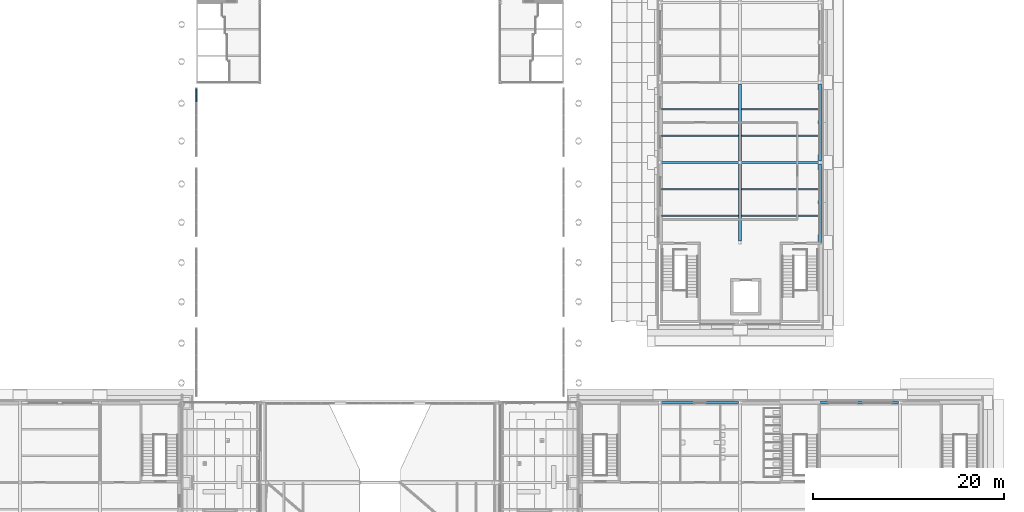
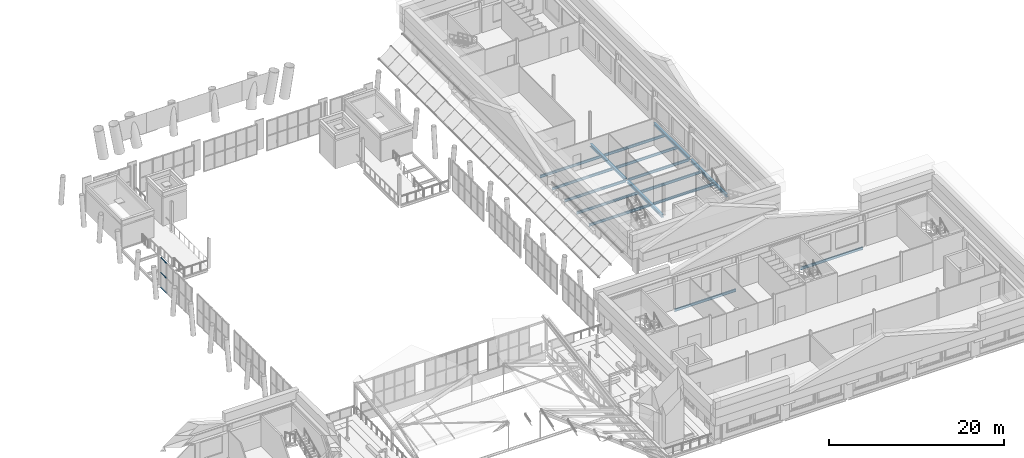
# One storey, part 28 of 76: 16 beams, 3 members, 1 element without a shape of its own.
"""IFC4 building model written with IfcOpenShell, lengths in metres."""

from ifc_helpers import new_model, si_unit, direction, frame, origin, origin_2d, place, context, subcontext, project, spatial, rectangle, i_section, extrude, material, material_profile, profile_set, type_object, element, aggregate, save


model = new_model("IFC4")

# Units and contexts
model_context = context("Model", 3, precision=1e-05, world=origin(), true_north=direction((0.0, 1.0)))
body_context = subcontext(model_context, "Body", "Model", "MODEL_VIEW")
ifc_project = project(units=[si_unit("LENGTHUNIT", "METRE"), si_unit("AREAUNIT", "SQUARE_METRE"), si_unit("VOLUMEUNIT", "CUBIC_METRE"), si_unit("PLANEANGLEUNIT", "RADIAN"), si_unit("MASSUNIT", "GRAM", prefix="KILO")], contexts=[model_context])

# Site, building, storey
site_placement = place(None, origin())
site = spatial("IfcSite", under=ifc_project, at=site_placement, CompositionType="ELEMENT")
building_placement = place(site_placement, origin())
building = spatial("IfcBuilding", under=site, at=building_placement, Name="Sava Quay Ferry Terminal", CompositionType="ELEMENT")
storey_placement = place(building_placement, frame((0.0, 0.0, 10.800048828125)))
storey = spatial("IfcBuildingStorey", under=building, at=storey_placement, Name="L02", CompositionType="ELEMENT", Elevation=10.800048828125)

# Beams
ifc_material_1 = material(Name="Steel S355", Category="steel")
ifc_material_profile_1 = material_profile(ifc_material_1, i_section(OverallWidth=0.169921875, OverallDepth=0.360107421875, WebThickness=0.008056640625, FlangeThickness=0.0126953125, at=origin_2d()), Name="IPE 360")
ifc_profile_set_1 = profile_set([ifc_material_profile_1], Name="Steel S355")
beam_type_1 = type_object("IfcBeamType", Name="Beam IPE 360", PredefinedType="BEAM", material=ifc_profile_set_1)
beam_1_placement = place(storey_placement, frame((92.550048828125, 50.39990234375, -0.31005859375), z_axis=(1.0, 0.0, 0.0), x_axis=(0.0, 1.0, 0.0)))
element("IfcBeam", 1, at=beam_1_placement, inside=storey, type_object=beam_type_1, Name="Beam L02", PredefinedType="BEAM", context=body_context, shape_type="SweptSolid", body=[
    extrude(i_section(OverallWidth=0.169921875, OverallDepth=0.360107421875, WebThickness=0.008056640625, FlangeThickness=0.0126953125, at=origin_2d()), origin(), (0.0, 0.0, 1.0), 8.099853515625),
])
beam_2_placement = place(storey_placement, frame((109.199951171875, 50.39990234375, -0.31005859375), z_axis=(1.0, 0.0, 0.0), x_axis=(0.0, 1.0, 0.0)))
element("IfcBeam", 2, at=beam_2_placement, inside=storey, type_object=beam_type_1, Name="Beam L02", PredefinedType="BEAM", context=body_context, shape_type="SweptSolid", body=[
    extrude(i_section(OverallWidth=0.169921875, OverallDepth=0.360107421875, WebThickness=0.008056640625, FlangeThickness=0.0126953125, at=origin_2d()), origin(), (0.0, 0.0, 1.0), 8.25),
])
beam_3_placement = place(storey_placement, frame((92.550048828125, 75.60009765625, -0.31005859375), z_axis=(1.0, 0.0, 0.0), x_axis=(0.0, 1.0, 0.0)))
element("IfcBeam", 3, at=beam_3_placement, inside=storey, type_object=beam_type_1, Name="Beam L02", PredefinedType="BEAM", context=body_context, shape_type="SweptSolid", body=[
    extrude(i_section(OverallWidth=0.169921875, OverallDepth=0.360107421875, WebThickness=0.008056640625, FlangeThickness=0.0126953125, at=origin_2d()), origin(), (0.0, 0.0, 1.0), 8.099853515625),
])
beam_4_placement = place(storey_placement, frame((100.949951171875, 75.60009765625, -0.31005859375), z_axis=(1.0, 0.0, 0.0), x_axis=(0.0, 1.0, 0.0)))
element("IfcBeam", 4, at=beam_4_placement, inside=storey, type_object=beam_type_1, Name="Beam L02", PredefinedType="BEAM", context=body_context, shape_type="SweptSolid", body=[
    extrude(i_section(OverallWidth=0.169921875, OverallDepth=0.360107421875, WebThickness=0.008056640625, FlangeThickness=0.0126953125, at=origin_2d()), origin(), (0.0, 0.0, 1.0), 8.10009765625),
])
for number, where, z_axis, x_axis, name in (
    (5, (92.550048828125, 70.0, -0.31005859375), (1.0, 0.0, 0.0), (0.0, 1.0, 0.0), "Secondary beam L02"),
    (6, (92.550048828125, 72.800048828125, -0.31005859375), (1.0, 0.0, 0.0), (0.0, 1.0, 0.0), "Secondary beam L02"),
):
    element("IfcBeam", number, at=place(storey_placement, frame(where, z_axis=z_axis, x_axis=x_axis)), inside=storey, type_object=beam_type_1, Name=name, PredefinedType="BEAM", context=body_context, shape_type="SweptSolid", body=[
        extrude(i_section(OverallWidth=0.169921875, OverallDepth=0.360107421875, WebThickness=0.008056640625, FlangeThickness=0.0126953125, at=origin_2d()), origin(), (0.0, 0.0, 1.0), 8.099853515625),
    ])
for number, where, z_axis, x_axis, name in (
    (7, (100.949951171875, 70.0, -0.31005859375), (1.0, 0.0, 0.0), (0.0, 1.0, 0.0), "Secondary beam L02"),
    (8, (100.949951171875, 72.800048828125, -0.31005859375), (1.0, 0.0, 0.0), (0.0, 1.0, 0.0), "Secondary beam L02"),
):
    element("IfcBeam", number, at=place(storey_placement, frame(where, z_axis=z_axis, x_axis=x_axis)), inside=storey, type_object=beam_type_1, Name=name, PredefinedType="BEAM", context=body_context, shape_type="SweptSolid", body=[
        extrude(i_section(OverallWidth=0.169921875, OverallDepth=0.360107421875, WebThickness=0.008056640625, FlangeThickness=0.0126953125, at=origin_2d()), origin(), (0.0, 0.0, 1.0), 8.10009765625),
    ])
for number, where, z_axis, x_axis, name in (
    (9, (92.550048828125, 78.39990234375, -0.31005859375), (1.0, 0.0, 0.0), (0.0, 1.0, 0.0), "Secondary beam L02"),
    (10, (92.550048828125, 81.199951171875, -0.31005859375), (1.0, 0.0, 0.0), (0.0, 1.0, 0.0), "Secondary beam L02"),
):
    element("IfcBeam", number, at=place(storey_placement, frame(where, z_axis=z_axis, x_axis=x_axis)), inside=storey, type_object=beam_type_1, Name=name, PredefinedType="BEAM", context=body_context, shape_type="SweptSolid", body=[
        extrude(i_section(OverallWidth=0.169921875, OverallDepth=0.360107421875, WebThickness=0.008056640625, FlangeThickness=0.0126953125, at=origin_2d()), origin(), (0.0, 0.0, 1.0), 8.099853515625),
    ])
for number, where, z_axis, x_axis, name in (
    (11, (100.949951171875, 78.39990234375, -0.31005859375), (1.0, 0.0, 0.0), (0.0, 1.0, 0.0), "Secondary beam L02"),
    (12, (100.949951171875, 81.199951171875, -0.31005859375), (1.0, 0.0, 0.0), (0.0, 1.0, 0.0), "Secondary beam L02"),
):
    element("IfcBeam", number, at=place(storey_placement, frame(where, z_axis=z_axis, x_axis=x_axis)), inside=storey, type_object=beam_type_1, Name=name, PredefinedType="BEAM", context=body_context, shape_type="SweptSolid", body=[
        extrude(i_section(OverallWidth=0.169921875, OverallDepth=0.360107421875, WebThickness=0.008056640625, FlangeThickness=0.0126953125, at=origin_2d()), origin(), (0.0, 0.0, 1.0), 8.10009765625),
    ])
ifc_material_2 = material(Name="Steel S355", Category="steel")
ifc_material_profile_2 = material_profile(ifc_material_2, i_section(OverallWidth=0.300048828125, OverallDepth=0.389892578125, WebThickness=0.010986328125, FlangeThickness=0.01904296875, at=origin_2d()), Name="HE 400 A")
ifc_profile_set_2 = profile_set([ifc_material_profile_2], Name="Steel S355")
beam_type_2 = type_object("IfcBeamType", Name="Girder HE 400 A", PredefinedType="BEAM", material=ifc_profile_set_2)
beam_5_placement = place(storey_placement, frame((100.800048828125, 67.35009765625, -0.324951171875), z_axis=(0.0, 1.0, 0.0), x_axis=(-1.0, 0.0, 0.0)))
element("IfcBeam", 13, at=beam_5_placement, inside=storey, type_object=beam_type_2, Name="Girder L02", PredefinedType="BEAM", context=body_context, shape_type="SweptSolid", body=[
    extrude(i_section(OverallWidth=0.300048828125, OverallDepth=0.389892578125, WebThickness=0.010986328125, FlangeThickness=0.01904296875, at=origin_2d()), origin(), (0.0, 0.0, 1.0), 8.099853515625),
])
beam_6_placement = place(storey_placement, frame((100.800048828125, 75.75, -0.324951171875), z_axis=(0.0, 1.0, 0.0), x_axis=(-1.0, 0.0, 0.0)))
element("IfcBeam", 14, at=beam_6_placement, inside=storey, type_object=beam_type_2, Name="Girder L02", PredefinedType="BEAM", context=body_context, shape_type="SweptSolid", body=[
    extrude(i_section(OverallWidth=0.300048828125, OverallDepth=0.389892578125, WebThickness=0.010986328125, FlangeThickness=0.01904296875, at=origin_2d()), origin(), (0.0, 0.0, 1.0), 8.10009765625),
])
beam_7_placement = place(storey_placement, frame((109.199951171875, 67.199951171875, -0.324951171875), z_axis=(0.0, 1.0, 0.0), x_axis=(-1.0, 0.0, 0.0)))
element("IfcBeam", 15, at=beam_7_placement, inside=storey, type_object=beam_type_2, Name="Girder L02", PredefinedType="BEAM", context=body_context, shape_type="SweptSolid", body=[
    extrude(i_section(OverallWidth=0.300048828125, OverallDepth=0.389892578125, WebThickness=0.010986328125, FlangeThickness=0.01904296875, at=origin_2d()), origin(), (0.0, 0.0, 1.0), 8.25),
])
beam_8_placement = place(storey_placement, frame((109.199951171875, 75.75, -0.324951171875), z_axis=(0.0, 1.0, 0.0), x_axis=(-1.0, 0.0, 0.0)))
element("IfcBeam", 16, at=beam_8_placement, inside=storey, type_object=beam_type_2, Name="Girder L02", PredefinedType="BEAM", context=body_context, shape_type="SweptSolid", body=[
    extrude(i_section(OverallWidth=0.300048828125, OverallDepth=0.389892578125, WebThickness=0.010986328125, FlangeThickness=0.01904296875, at=origin_2d()), origin(), (0.0, 0.0, 1.0), 8.10009765625),
])

# Curtain wall, members
ifc_material_3 = material(Name="Aluminium and glass curtain wall, double low-e glazed", Category="aluminium")
curtain_wall_type = type_object("IfcCurtainWallType", Name="Curtain wall CW-F flank", PredefinedType="NOTDEFINED", material=ifc_material_3)
curtain_wall_placement = place(storey_placement, origin())
curtain_wall = element("IfcCurtainWall", 17, at=curtain_wall_placement, inside=storey, type_object=curtain_wall_type, Name="Curtain wall D-W L02 bay 4", PredefinedType="NOTDEFINED")
ifc_material_4 = material(Name="Aluminium EN AW-6063 T6", Category="aluminium")
ifc_material_profile_3 = material_profile(ifc_material_4, rectangle(XDim=0.1201171875, YDim=0.050048828125, at=origin_2d()), Name="Transom 50x120 aluminium")
ifc_profile_set_3 = profile_set([ifc_material_profile_3], Name="Aluminium EN AW-6063 T6")
member_type = type_object("IfcMemberType", Name="Transom 50x120 aluminium", PredefinedType="USERDEFINED", material=ifc_profile_set_3)
member_1_placement = place(storey_placement, frame((43.72509765625, 81.989990234375, 0.02490234375), z_axis=(0.0, 1.0, 0.0), x_axis=(-1.0, 0.0, 0.0)))
member_1 = element("IfcMember", 18, at=member_1_placement, type_object=member_type, Name="CW108 transom 5.1", ObjectType="TRANSOM", PredefinedType="USERDEFINED", context=body_context, shape_type="SweptSolid", body=[
    extrude(rectangle(XDim=0.1201171875, YDim=0.050048828125, at=origin_2d()), origin(), (0.0, 0.0, 1.0), 1.35009765625),
])
member_2_placement = place(storey_placement, frame((43.72509765625, 81.989990234375, 2.099853515625), z_axis=(0.0, 1.0, 0.0), x_axis=(-1.0, 0.0, 0.0)))
member_2 = element("IfcMember", 19, at=member_2_placement, type_object=member_type, Name="CW108 transom 5.2", ObjectType="TRANSOM", PredefinedType="USERDEFINED", context=body_context, shape_type="SweptSolid", body=[
    extrude(rectangle(XDim=0.1201171875, YDim=0.050048828125, at=origin_2d()), origin(), (0.0, 0.0, 1.0), 1.35009765625),
])
member_3_placement = place(storey_placement, frame((43.72509765625, 81.989990234375, 4.175048828125), z_axis=(0.0, 1.0, 0.0), x_axis=(-1.0, 0.0, 0.0)))
member_3 = element("IfcMember", 20, at=member_3_placement, type_object=member_type, Name="CW108 transom 5.3", ObjectType="TRANSOM", PredefinedType="USERDEFINED", context=body_context, shape_type="SweptSolid", body=[
    extrude(rectangle(XDim=0.1201171875, YDim=0.050048828125, at=origin_2d()), origin(), (0.0, 0.0, 1.0), 1.35009765625),
])
aggregate(curtain_wall, [member_1, member_2, member_3])

save(model, "model.ifc")
